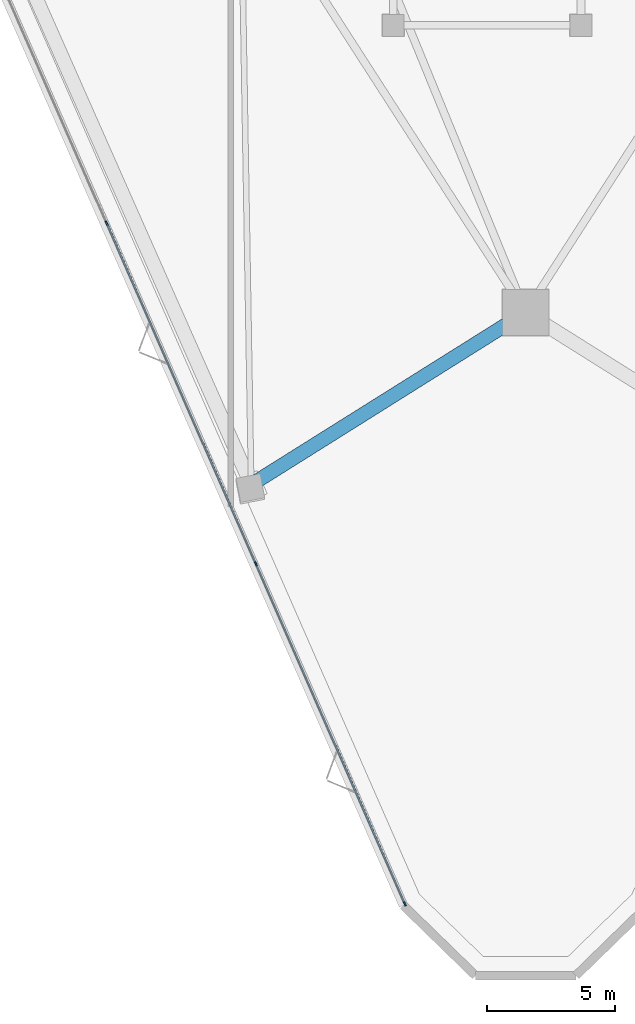
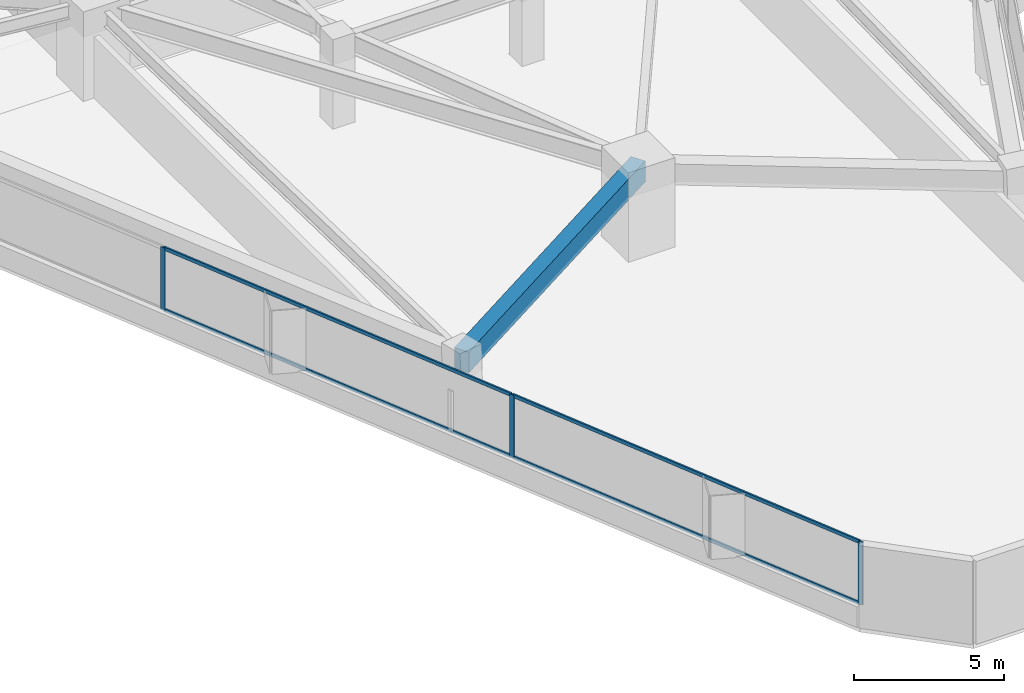
# One storey, part 2 of 21: 7 members, 1 beam, 1 element without a shape of its own.
"""IFC4 building model written with IfcOpenShell, lengths in metres."""

from ifc_helpers import new_model, si_unit, direction, frame, origin, origin_2d, place, context, subcontext, project, spatial, rectangle, extrude, material, layer, layer_set, material_profile, profile_set, type_object, element, aggregate, save


model = new_model("IFC4")

# Units and contexts
model_context = context("Model", 3, precision=1e-05, world=origin(), true_north=direction((0.0, 1.0)))
body_context = subcontext(model_context, "Body", "Model", "MODEL_VIEW")
ifc_project = project(units=[si_unit("LENGTHUNIT", "METRE"), si_unit("AREAUNIT", "SQUARE_METRE"), si_unit("VOLUMEUNIT", "CUBIC_METRE"), si_unit("PLANEANGLEUNIT", "RADIAN"), si_unit("MASSUNIT", "GRAM", prefix="KILO")], contexts=[model_context])

# Site, building, storey
site_placement = place(None, origin())
site = spatial("IfcSite", under=ifc_project, at=site_placement, CompositionType="ELEMENT")
building_placement = place(site_placement, origin())
building = spatial("IfcBuilding", under=site, at=building_placement, Name="Talyreon Biosciences Tower", CompositionType="ELEMENT")
storey_placement = place(building_placement, frame((0.0, 0.0, 33.75)))
storey = spatial("IfcBuildingStorey", under=building, at=storey_placement, Name="L08", CompositionType="ELEMENT", Elevation=33.75)

# Curtain wall, members
ifc_material_1 = material(Name="Thermally broken aluminium and low-E glazing", Category="aluminium")
ifc_layer = layer(ifc_material_1, 0.195068359375)
ifc_layer_set = layer_set([ifc_layer], Name="Thermally broken aluminium and low-E glazing")
curtain_wall_type = type_object("IfcCurtainWallType", Name="CurtainWall_Zone1WetLab", PredefinedType="NOTDEFINED", material=ifc_layer_set)
curtain_wall_placement = place(storey_placement, origin())
curtain_wall = element("IfcCurtainWall", 1, at=curtain_wall_placement, inside=storey, type_object=curtain_wall_type, Name="L08 Unitised Curtain Wall FCW-L08-00", PredefinedType="NOTDEFINED")
ifc_material_2 = material(Name="Anodised thermally broken aluminium", Category="aluminium")
ifc_material_profile_1 = material_profile(ifc_material_2, rectangle(XDim=0.06494140625, YDim=0.179931640625, at=origin_2d()), Name="ALUM MULLION 65x180")
ifc_profile_set_1 = profile_set([ifc_material_profile_1], Name="Anodised thermally broken aluminium")
member_type_1 = type_object("IfcMemberType", Name="CWMullion_65x180", PredefinedType="MULLION", material=ifc_profile_set_1)
member_1_placement = place(storey_placement, frame((61.297119140625, 18.651611328125, 0.81005859375), z_axis=(0.0, 0.0, 1.0), x_axis=(-0.915980408101, -0.401222995321, 0.0)))
member_1 = element("IfcMember", 2, at=member_1_placement, type_object=member_type_1, Name="CW2 mullion 1", PredefinedType="MULLION", context=body_context, shape_type="SweptSolid", body=[
    extrude(rectangle(XDim=0.06494140625, YDim=0.179931640625, at=origin_2d()), origin(), (0.0, 0.0, 1.0), 2.56494140625),
])
member_2_placement = place(storey_placement, frame((55.5009765625, 31.884033203125, 0.81005859375), z_axis=(0.0, 0.0, 1.0), x_axis=(-0.915980408101, -0.401222995321, 0.0)))
member_2 = element("IfcMember", 3, at=member_2_placement, type_object=member_type_1, Name="CW2 mullion 2", PredefinedType="MULLION", context=body_context, shape_type="SweptSolid", body=[
    extrude(rectangle(XDim=0.06494140625, YDim=0.179931640625, at=origin_2d()), origin(), (0.0, 0.0, 1.0), 2.56494140625),
])
member_3_placement = place(storey_placement, frame((49.691650390625, 45.146240234375, 0.81005859375), z_axis=(0.0, 0.0, 1.0), x_axis=(-0.915980408101, -0.401222995321, 0.0)))
member_3 = element("IfcMember", 4, at=member_3_placement, type_object=member_type_1, Name="CW2 mullion 3", PredefinedType="MULLION", context=body_context, shape_type="SweptSolid", body=[
    extrude(rectangle(XDim=0.06494140625, YDim=0.179931640625, at=origin_2d()), origin(), (0.0, 0.0, 1.0), 2.56494140625),
])
ifc_material_profile_2 = material_profile(ifc_material_2, rectangle(XDim=0.06494140625, YDim=0.139892578125, at=origin_2d()), Name="ALUM TRANSOM 65x140")
ifc_profile_set_2 = profile_set([ifc_material_profile_2], Name="Anodised thermally broken aluminium")
member_type_2 = type_object("IfcMemberType", Name="CWTransom_65x140", PredefinedType="USERDEFINED", material=ifc_profile_set_2)
member_4_placement = place(storey_placement, frame((61.2841796875, 18.681396484375, 0.842529296875), z_axis=(-0.401235575377, 0.91597489761, 0.0), x_axis=(-0.91597489761, -0.401235575377, 0.0)))
member_4 = element("IfcMember", 5, at=member_4_placement, type_object=member_type_2, Name="CW2 transom 1.1", ObjectType="TRANSOM", PredefinedType="USERDEFINED", context=body_context, shape_type="SweptSolid", body=[
    extrude(rectangle(XDim=0.06494140625, YDim=0.139892578125, at=origin_2d()), origin(), (0.0, 0.0, 1.0), 14.38134765625),
])
member_5_placement = place(storey_placement, frame((61.2841796875, 18.681396484375, 3.342529296875), z_axis=(-0.401235575377, 0.91597489761, 0.0), x_axis=(-0.91597489761, -0.401235575377, 0.0)))
member_5 = element("IfcMember", 6, at=member_5_placement, type_object=member_type_2, Name="CW2 transom 1.2", ObjectType="TRANSOM", PredefinedType="USERDEFINED", context=body_context, shape_type="SweptSolid", body=[
    extrude(rectangle(XDim=0.06494140625, YDim=0.139892578125, at=origin_2d()), origin(), (0.0, 0.0, 1.0), 14.38134765625),
])
member_6_placement = place(storey_placement, frame((55.488037109375, 31.913818359375, 0.842529296875), z_axis=(-0.401223081321, 0.915980370431, 0.0), x_axis=(-0.915980370431, -0.401223081321, 0.0)))
member_6 = element("IfcMember", 7, at=member_6_placement, type_object=member_type_2, Name="CW2 transom 2.1", ObjectType="TRANSOM", PredefinedType="USERDEFINED", context=body_context, shape_type="SweptSolid", body=[
    extrude(rectangle(XDim=0.06494140625, YDim=0.139892578125, at=origin_2d()), origin(), (0.0, 0.0, 1.0), 14.413818359375),
])
member_7_placement = place(storey_placement, frame((55.488037109375, 31.913818359375, 3.342529296875), z_axis=(-0.401223081321, 0.915980370431, 0.0), x_axis=(-0.915980370431, -0.401223081321, 0.0)))
member_7 = element("IfcMember", 8, at=member_7_placement, type_object=member_type_2, Name="CW2 transom 2.2", ObjectType="TRANSOM", PredefinedType="USERDEFINED", context=body_context, shape_type="SweptSolid", body=[
    extrude(rectangle(XDim=0.06494140625, YDim=0.139892578125, at=origin_2d()), origin(), (0.0, 0.0, 1.0), 14.413818359375),
])
aggregate(curtain_wall, [member_1, member_2, member_3, member_4, member_5, member_6, member_7])

# Beam
ifc_material_3 = material(Name="Precast concrete C45/55", Category="concrete")
ifc_material_profile_3 = material_profile(ifc_material_3, rectangle(XDim=0.550048828125, YDim=0.85009765625, at=origin_2d()), Name="RCB 550x850")
ifc_profile_set_3 = profile_set([ifc_material_profile_3], Name="Precast concrete C45/55")
beam_type = type_object("IfcBeamType", Name="ExpressedSpandrel_550x850", PredefinedType="SPANDREL", material=ifc_profile_set_3)
beam_placement = place(storey_placement, frame((55.319091796875, 34.9658203125, 2.949951171875), z_axis=(0.847084404638, 0.531458381643, 0.0), x_axis=(-0.531458381643, 0.847084404638, 0.0)))
element("IfcBeam", 9, at=beam_placement, inside=storey, type_object=beam_type, Name="L08 Expressed Horizontal Concrete Spandrel 12", PredefinedType="SPANDREL", context=body_context, shape_type="SweptSolid", body=[
    extrude(rectangle(XDim=0.550048828125, YDim=0.85009765625, at=origin_2d()), origin(), (0.0, 0.0, 1.0), 12.609130859375),
])

save(model, "model.ifc")
